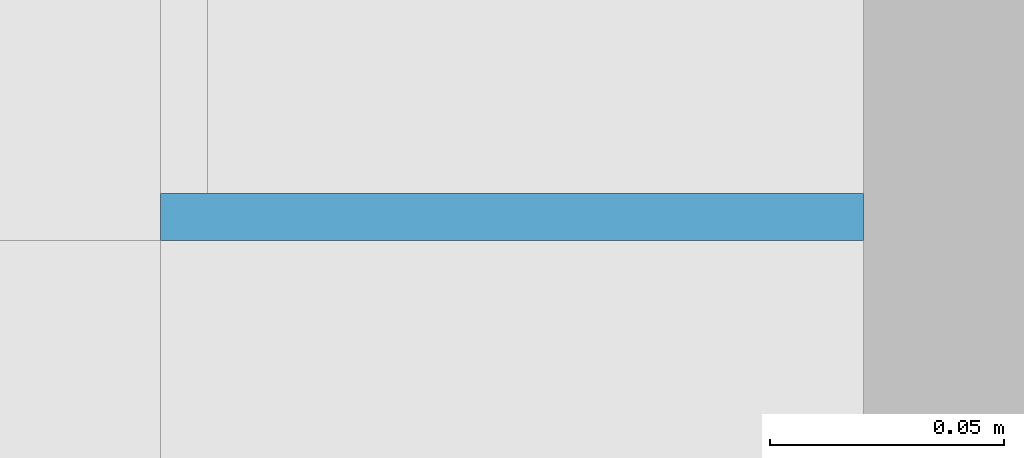
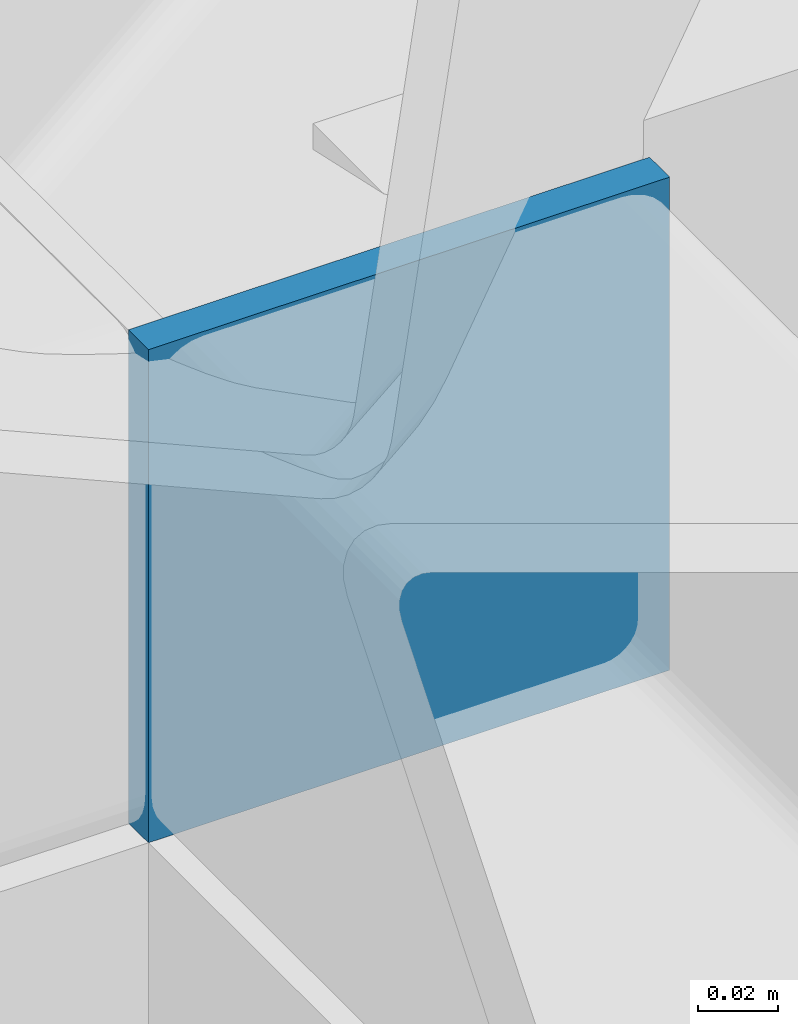
# One storey, part 109 of 149: 1 discrete accessory.
"""IFC4 building model written with IfcOpenShell, lengths in metres."""

from ifc_helpers import new_model, si_unit, direction, frame, origin, origin_2d, place, context, subcontext, project, spatial, rectangle, extrude, material, material_profile, profile_set, type_object, element, save


model = new_model("IFC4")

# Units and contexts
model_context = context("Model", 3, precision=1e-05, world=origin(), true_north=direction((0.0, 1.0)))
body_context = subcontext(model_context, "Body", "Model", "MODEL_VIEW")
ifc_project = project(units=[si_unit("LENGTHUNIT", "METRE"), si_unit("AREAUNIT", "SQUARE_METRE"), si_unit("VOLUMEUNIT", "CUBIC_METRE"), si_unit("PLANEANGLEUNIT", "RADIAN"), si_unit("MASSUNIT", "GRAM", prefix="KILO")], contexts=[model_context])

# Site, building, storey
site_placement = place(None, origin())
site = spatial("IfcSite", under=ifc_project, at=site_placement, CompositionType="ELEMENT")
building_placement = place(site_placement, origin())
building = spatial("IfcBuilding", under=site, at=building_placement, Name="Kallimachos Central Library", CompositionType="ELEMENT")
storey_placement = place(building_placement, frame((0.0, 0.0, 9.89990234375)))
storey = spatial("IfcBuildingStorey", under=building, at=storey_placement, Name="L02", CompositionType="ELEMENT", Elevation=9.89990234375)

# Discrete accessory
ifc_material = material(Name="Steel S355J2", Category="steel")
ifc_material_profile = material_profile(ifc_material, rectangle(XDim=0.14990234375, YDim=0.14990234375, at=origin_2d()), Name="End cap plate 10, 150x150")
ifc_profile_set = profile_set([ifc_material_profile], Name="Steel S355J2")
discrete_accessory_type = type_object("IfcDiscreteAccessoryType", Name="End cap plate 10, 150x150", PredefinedType="BRACKET", material=ifc_profile_set)
discrete_accessory_placement = place(storey_placement, frame((74.300048828125, 56.72509765625, 4.47509765625), z_axis=(0.0, 1.0, 0.0), x_axis=(-1.0, 0.0, 0.0)))
element("IfcDiscreteAccessory", 1, at=discrete_accessory_placement, inside=storey, type_object=discrete_accessory_type, Name="End cap plate", PredefinedType="BRACKET", context=body_context, shape_type="SweptSolid", body=[
    extrude(rectangle(XDim=0.14990234375, YDim=0.14990234375, at=origin_2d()), origin(), (0.0, 0.0, 1.0), 0.010009765625),
])

save(model, "model.ifc")
